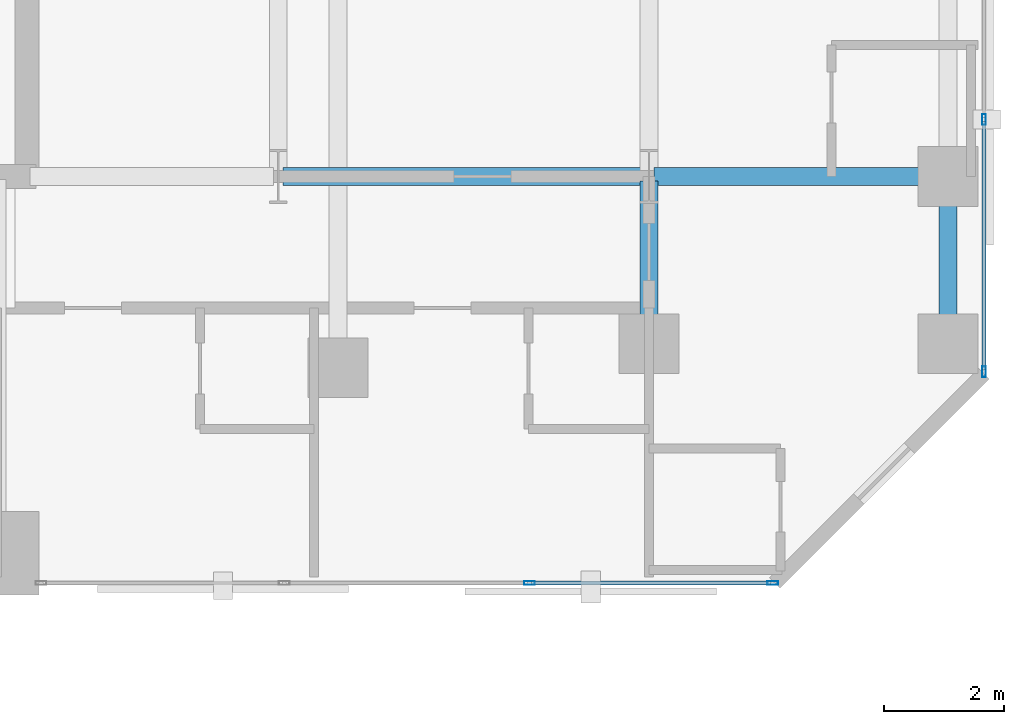
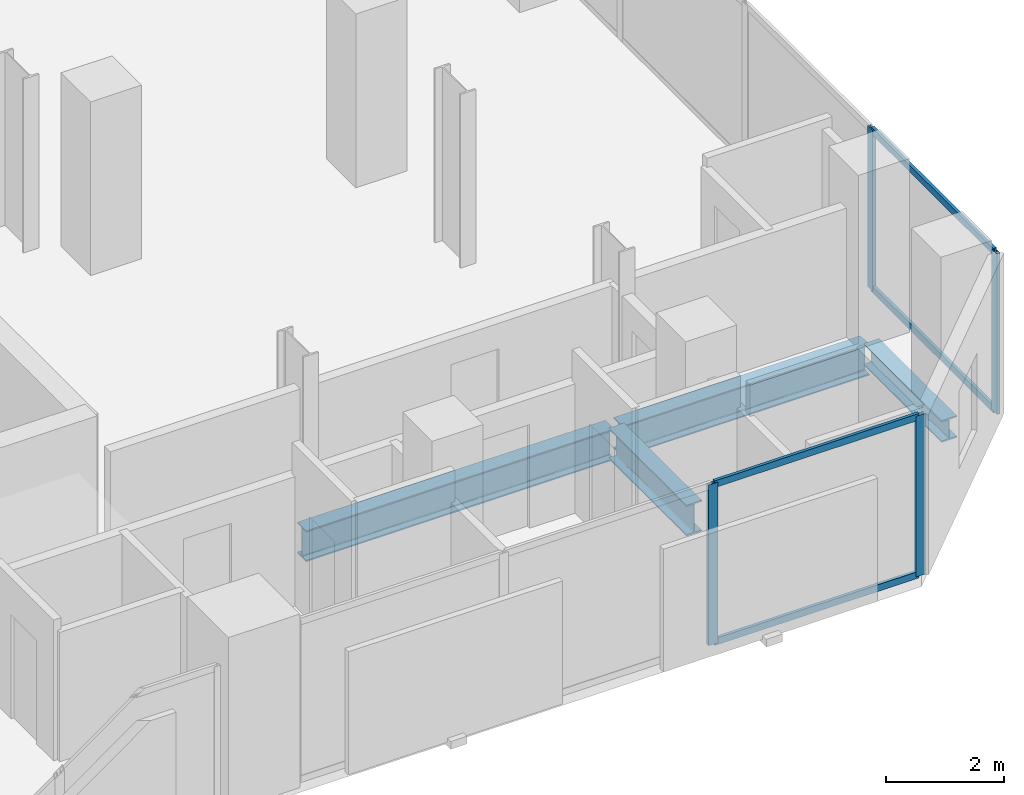
# One storey, part 15 of 32: 8 members, 4 beams, 2 elements without a shape of their own.
"""IFC4 building model written with IfcOpenShell, lengths in metres."""

from ifc_helpers import new_model, si_unit, direction, frame, origin, origin_2d, place, context, subcontext, project, spatial, hollow_rectangle, i_section, extrude, material, layer, layer_set, material_profile, profile_set, type_object, element, aggregate, save


model = new_model("IFC4")

# Units and contexts
model_context = context("Model", 3, precision=1e-05, world=origin(), true_north=direction((0.0, 1.0)))
body_context = subcontext(model_context, "Body", "Model", "MODEL_VIEW")
ifc_project = project(units=[si_unit("LENGTHUNIT", "METRE"), si_unit("AREAUNIT", "SQUARE_METRE"), si_unit("VOLUMEUNIT", "CUBIC_METRE"), si_unit("PLANEANGLEUNIT", "RADIAN"), si_unit("MASSUNIT", "GRAM", prefix="KILO")], contexts=[model_context])

# Site, building, storey
site_placement = place(None, origin())
site = spatial("IfcSite", under=ifc_project, at=site_placement, CompositionType="ELEMENT")
building_placement = place(site_placement, origin())
building = spatial("IfcBuilding", under=site, at=building_placement, Name="Catumbela Crestline Tower", CompositionType="ELEMENT")
storey_placement = place(building_placement, frame((0.0, 0.0, 29.4)))
storey = spatial("IfcBuildingStorey", under=building, at=storey_placement, Name="L06", CompositionType="ELEMENT", Elevation=29.4)

# Beams
ifc_material_1 = material(Name="Structural steel S355J2", Category="steel")
ifc_material_profile_1 = material_profile(ifc_material_1, i_section(OverallWidth=0.3, OverallDepth=0.64, WebThickness=0.0135, FlangeThickness=0.026, FilletRadius=0.027, at=origin_2d()), Name="HEA 650")
ifc_profile_set_1 = profile_set([ifc_material_profile_1], Name="Structural steel S355J2")
beam_type_1 = type_object("IfcBeamType", Name="BG-HEA650", PredefinedType="BEAM", material=ifc_profile_set_1)
beam_1_placement = place(storey_placement, frame((44.28, 30.8, -0.58), z_axis=(1.0, 0.0, 0.0), x_axis=(0.0, 1.0, 0.0)))
element("IfcBeam", 1, at=beam_1_placement, inside=storey, type_object=beam_type_1, Name="L06 Beam BM-L06-M11", PredefinedType="BEAM", context=body_context, shape_type="SweptSolid", body=[
    extrude(i_section(OverallWidth=0.3, OverallDepth=0.64, WebThickness=0.0135, FlangeThickness=0.026, FilletRadius=0.027, at=origin_2d()), origin(), (0.0, 0.0, 1.0), 6.04),
])
beam_2_placement = place(storey_placement, frame((50.48, 30.8, -0.58), z_axis=(1.0, 0.0, 0.0), x_axis=(0.0, 1.0, 0.0)))
element("IfcBeam", 2, at=beam_2_placement, inside=storey, type_object=beam_type_1, Name="L06 Beam BM-L06-M12", PredefinedType="BEAM", context=body_context, shape_type="SweptSolid", body=[
    extrude(i_section(OverallWidth=0.3, OverallDepth=0.64, WebThickness=0.0135, FlangeThickness=0.026, FilletRadius=0.027, at=origin_2d()), origin(), (0.0, 0.0, 1.0), 4.84),
])
beam_3_placement = place(storey_placement, frame((50.4, 28.08, -0.58), z_axis=(0.0, 1.0, 0.0), x_axis=(-1.0, 0.0, 0.0)))
element("IfcBeam", 3, at=beam_3_placement, inside=storey, type_object=beam_type_1, Name="L06 Beam BM-L06-SN37", PredefinedType="BEAM", context=body_context, shape_type="SweptSolid", body=[
    extrude(i_section(OverallWidth=0.3, OverallDepth=0.64, WebThickness=0.0135, FlangeThickness=0.026, FilletRadius=0.027, at=origin_2d()), origin(), (0.0, 0.0, 1.0), 2.64),
])

# Curtain wall, members
ifc_material_2 = material(Name="Aluminium alloy AW-6060-T66", Category="aluminium")
ifc_layer = layer(ifc_material_2, 0.18, Name="Aluminium alloy AW-6060-T66")
ifc_layer_set = layer_set([ifc_layer], Name="Aluminium alloy AW-6060-T66")
curtain_wall_type = type_object("IfcCurtainWallType", Name="CWU-Z1", PredefinedType="USERDEFINED", material=ifc_layer_set)
curtain_wall_1_placement = place(storey_placement, origin())
curtain_wall_1 = element("IfcCurtainWall", 4, at=curtain_wall_1_placement, inside=storey, type_object=curtain_wall_type, Name="L06 Unitised Curtain Wall CW-L06-E3S3", ObjectType="UNITISED", PredefinedType="USERDEFINED")
ifc_material_profile_2 = material_profile(ifc_material_2, hollow_rectangle(XDim=0.065, YDim=0.18, WallThickness=0.004, at=origin_2d()), Name="ALU 180x65x4")
ifc_profile_set_2 = profile_set([ifc_material_profile_2], Name="Aluminium alloy AW-6060-T66")
member_type_1 = type_object("IfcMemberType", Name="MUL-180X65", PredefinedType="MULLION", material=ifc_profile_set_2)
member_1_placement = place(storey_placement, frame((48.4, 24.0, 0.0), z_axis=(0.0, 0.0, 1.0), x_axis=(0.0, 1.0, 0.0)))
member_1 = element("IfcMember", 5, at=member_1_placement, type_object=member_type_1, Name="CWU-Z1 mullion 3", PredefinedType="MULLION", context=body_context, shape_type="SweptSolid", body=[
    extrude(hollow_rectangle(XDim=0.065, YDim=0.18, WallThickness=0.004, at=origin_2d()), origin(), (0.0, 0.0, 1.0), 3.33),
])
member_2_placement = place(storey_placement, frame((52.4675, 24.0, 0.0), z_axis=(0.0, 0.0, 1.0), x_axis=(0.0, 1.0, 0.0)))
member_2 = element("IfcMember", 6, at=member_2_placement, type_object=member_type_1, Name="CWU-Z1 mullion 4", PredefinedType="MULLION", context=body_context, shape_type="SweptSolid", body=[
    extrude(hollow_rectangle(XDim=0.065, YDim=0.18, WallThickness=0.004, at=origin_2d()), origin(), (0.0, 0.0, 1.0), 3.33),
])

curtain_wall_2_placement = place(storey_placement, origin())
curtain_wall_2 = element("IfcCurtainWall", 7, at=curtain_wall_2_placement, inside=storey, type_object=curtain_wall_type, Name="L06 Unitised Curtain Wall CW-L06-E5S1", ObjectType="UNITISED", PredefinedType="USERDEFINED")
member_3_placement = place(storey_placement, frame((56.0, 27.5325, 0.0), z_axis=(0.0, 0.0, 1.0), x_axis=(-1.0, 0.0, 0.0)))
member_3 = element("IfcMember", 8, at=member_3_placement, type_object=member_type_1, Name="CWU-Z1 mullion 1", PredefinedType="MULLION", context=body_context, shape_type="SweptSolid", body=[
    extrude(hollow_rectangle(XDim=0.065, YDim=0.18, WallThickness=0.004, at=origin_2d()), origin(), (0.0, 0.0, 1.0), 3.33),
])
member_4_placement = place(storey_placement, frame((56.0, 31.75, 0.0), z_axis=(0.0, 0.0, 1.0), x_axis=(-1.0, 0.0, 0.0)))
member_4 = element("IfcMember", 9, at=member_4_placement, type_object=member_type_1, Name="CWU-Z1 mullion 2", PredefinedType="MULLION", context=body_context, shape_type="SweptSolid", body=[
    extrude(hollow_rectangle(XDim=0.065, YDim=0.18, WallThickness=0.004, at=origin_2d()), origin(), (0.0, 0.0, 1.0), 3.33),
])

# Beam
ifc_material_profile_3 = material_profile(ifc_material_1, i_section(OverallWidth=0.3, OverallDepth=0.45, WebThickness=0.014, FlangeThickness=0.026, FilletRadius=0.027, at=origin_2d()), Name="HEB 450")
ifc_profile_set_3 = profile_set([ifc_material_profile_3], Name="Structural steel S355J2")
beam_type_2 = type_object("IfcBeamType", Name="BS-HEB450", PredefinedType="SPANDREL", material=ifc_profile_set_3)
beam_4_placement = place(storey_placement, frame((55.4, 28.08, -0.485), z_axis=(0.0, 1.0, 0.0), x_axis=(-1.0, 0.0, 0.0)))
element("IfcBeam", 10, at=beam_4_placement, inside=storey, type_object=beam_type_2, Name="L06 Spandrel SP-L06-SN40", PredefinedType="SPANDREL", context=body_context, shape_type="SweptSolid", body=[
    extrude(i_section(OverallWidth=0.3, OverallDepth=0.45, WebThickness=0.014, FlangeThickness=0.026, FilletRadius=0.027, at=origin_2d()), origin(), (0.0, 0.0, 1.0), 2.64),
])

# Member
ifc_material_profile_4 = material_profile(ifc_material_2, hollow_rectangle(XDim=0.06, YDim=0.14, WallThickness=0.004, at=origin_2d()), Name="ALU 140x60x4")
ifc_profile_set_4 = profile_set([ifc_material_profile_4], Name="Aluminium alloy AW-6060-T66")
member_type_2 = type_object("IfcMemberType", Name="TRN-140X60", PredefinedType="USERDEFINED", material=ifc_profile_set_4)
member_5_placement = place(storey_placement, frame((48.4325, 24.0, 0.03), z_axis=(1.0, 0.0, 0.0), x_axis=(0.0, 1.0, 0.0)))
member_5 = element("IfcMember", 11, at=member_5_placement, type_object=member_type_2, Name="CWU-Z1 transom 3.1", ObjectType="TRANSOM", PredefinedType="USERDEFINED", context=body_context, shape_type="SweptSolid", body=[
    extrude(hollow_rectangle(XDim=0.06, YDim=0.14, WallThickness=0.004, at=origin_2d()), origin(), (0.0, 0.0, 1.0), 4.0025),
])

member_6_placement = place(storey_placement, frame((48.4325, 24.0, 3.3), z_axis=(1.0, 0.0, 0.0), x_axis=(0.0, 1.0, 0.0)))
member_6 = element("IfcMember", 12, at=member_6_placement, type_object=member_type_2, Name="CWU-Z1 transom 3.2", ObjectType="TRANSOM", PredefinedType="USERDEFINED", context=body_context, shape_type="SweptSolid", body=[
    extrude(hollow_rectangle(XDim=0.06, YDim=0.14, WallThickness=0.004, at=origin_2d()), origin(), (0.0, 0.0, 1.0), 4.0025),
])

aggregate(curtain_wall_1, [member_1, member_2, member_5, member_6])

member_7_placement = place(storey_placement, frame((56.0, 27.565, 0.03), z_axis=(0.0, 1.0, 0.0), x_axis=(-1.0, 0.0, 0.0)))
member_7 = element("IfcMember", 13, at=member_7_placement, type_object=member_type_2, Name="CWU-Z1 transom 1.1", ObjectType="TRANSOM", PredefinedType="USERDEFINED", context=body_context, shape_type="SweptSolid", body=[
    extrude(hollow_rectangle(XDim=0.06, YDim=0.14, WallThickness=0.004, at=origin_2d()), origin(), (0.0, 0.0, 1.0), 4.1525),
])

member_8_placement = place(storey_placement, frame((56.0, 27.565, 3.3), z_axis=(0.0, 1.0, 0.0), x_axis=(-1.0, 0.0, 0.0)))
member_8 = element("IfcMember", 14, at=member_8_placement, type_object=member_type_2, Name="CWU-Z1 transom 1.2", ObjectType="TRANSOM", PredefinedType="USERDEFINED", context=body_context, shape_type="SweptSolid", body=[
    extrude(hollow_rectangle(XDim=0.06, YDim=0.14, WallThickness=0.004, at=origin_2d()), origin(), (0.0, 0.0, 1.0), 4.1525),
])

aggregate(curtain_wall_2, [member_3, member_4, member_7, member_8])

save(model, "model.ifc")
